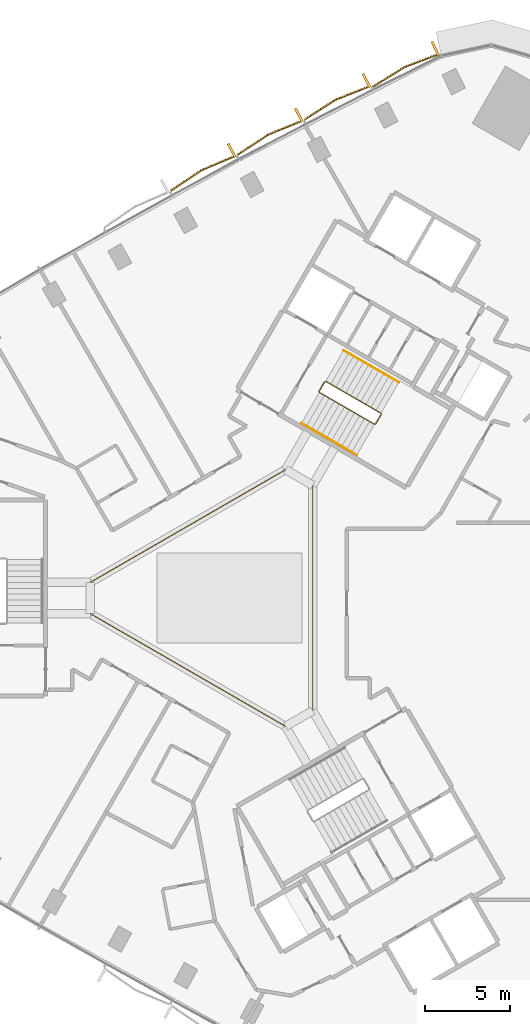
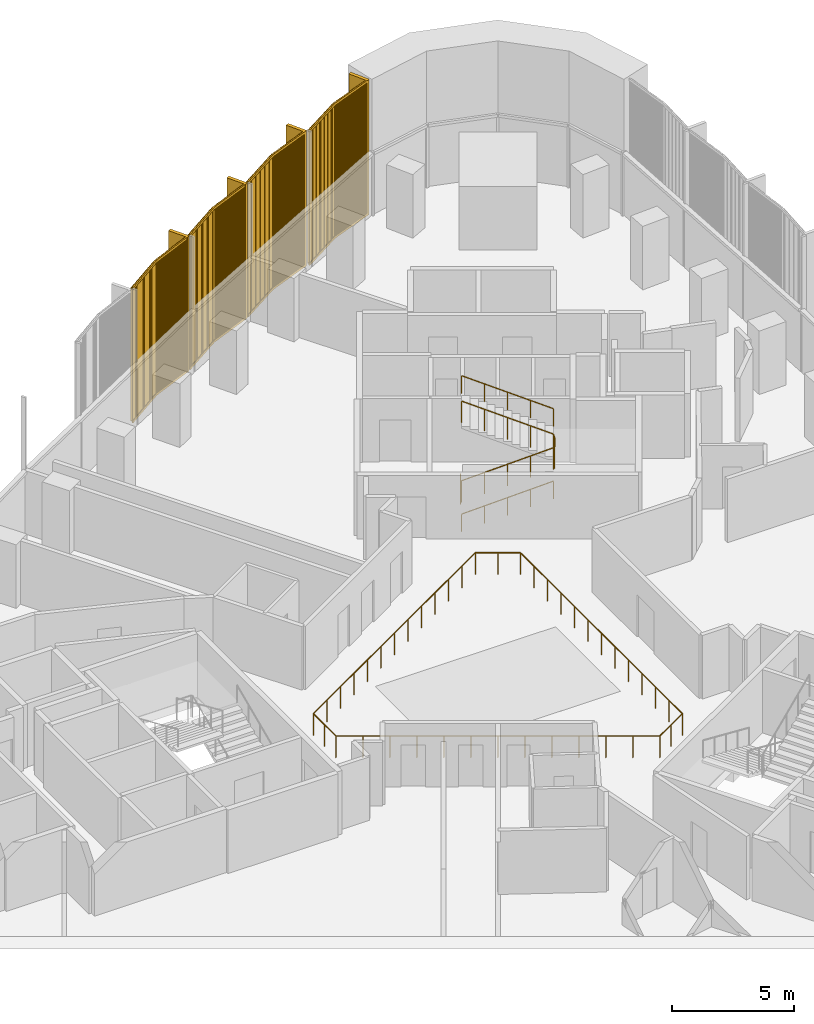
# One storey, part 14 of 15: 4 coverings, 4 railings.
"""IFC4 building model written with IfcOpenShell, lengths in metres."""

from ifc_helpers import new_model, si_unit, direction, frame, frame_2d, origin, origin_2d, place, context, subcontext, project, spatial, rectangle, circle, extrude, source, transform, mapped, material, type_object, element, save


model = new_model("IFC4")

# Units and contexts
model_context = context("Model", 3, precision=1e-05, world=origin(), true_north=direction((0.0, 1.0)))
body_context = subcontext(model_context, "Body", "Model", "MODEL_VIEW")
ifc_project = project(units=[si_unit("LENGTHUNIT", "METRE"), si_unit("AREAUNIT", "SQUARE_METRE"), si_unit("VOLUMEUNIT", "CUBIC_METRE"), si_unit("PLANEANGLEUNIT", "RADIAN"), si_unit("MASSUNIT", "GRAM", prefix="KILO")], contexts=[model_context])

# Site, building, storey
site_placement = place(None, origin())
site = spatial("IfcSite", under=ifc_project, at=site_placement, CompositionType="ELEMENT")
building_placement = place(site_placement, origin())
building = spatial("IfcBuilding", under=site, at=building_placement, Name="Tamra Quay Hotel Tower", CompositionType="ELEMENT")
storey_placement = place(building_placement, frame((0.0, 0.0, 79.39990234375)))
storey = spatial("IfcBuildingStorey", under=building, at=storey_placement, Name="L18", CompositionType="ELEMENT", Elevation=79.39990234375)

# Railings
ifc_material_1 = material(Name="Guard atrium edge 1100")
railing_type_1 = type_object("IfcRailingType", Name="Guard atrium edge 1100", PredefinedType="GUARDRAIL", material=ifc_material_1)
railing_1_placement = place(storey_placement, frame((4.89990234375, -6.639892578125, 0.0)))
element("IfcRailing", 1, at=railing_1_placement, inside=storey, type_object=railing_type_1, Name="G-A", PredefinedType="GUARDRAIL", context=body_context, shape_type="SweptSolid", body=[
    extrude(circle(Radius=0.02392578125, at=origin_2d()), frame((0.0, 0.0, 1.076171875), z_axis=(-0.866161379324, -0.499764409465, 0.0), x_axis=(0.499764409465, -0.866161379324, 0.0)), (0.0, 0.0, 1.0), 1.84716796875),
    extrude(circle(Radius=0.02392578125, at=origin_2d()), frame((-1.599853515625, -0.923095703125, 1.076171875), z_axis=(-0.866045362687, 0.499965428574, 0.0), x_axis=(-0.499965428574, -0.866045362687, 0.0)), (0.0, 0.0, 1.0), 13.27880859375),
    extrude(circle(Radius=0.02392578125, at=origin_2d()), frame((-13.099853515625, 5.7158203125, 1.076171875), z_axis=(0.0, 1.0, 0.0), x_axis=(-1.0, 0.0, 0.0)), (0.0, 0.0, 1.0), 1.84814453125),
    extrude(circle(Radius=0.02392578125, at=origin_2d()), frame((-13.099853515625, 7.56396484375, 1.076171875), z_axis=(0.866045362687, 0.499965428574, 0.0), x_axis=(-0.499965428574, 0.866045362687, 0.0)), (0.0, 0.0, 1.0), 13.27880859375),
    extrude(circle(Radius=0.02392578125, at=origin_2d()), frame((-1.599853515625, 14.202880859375, 1.076171875), z_axis=(0.866161379324, -0.499764409465, 0.0), x_axis=(0.499764409465, 0.866161379324, 0.0)), (0.0, 0.0, 1.0), 1.84716796875),
    extrude(circle(Radius=0.02392578125, at=origin_2d()), frame((0.0, 13.27978515625, 1.076171875), z_axis=(0.0, -1.0, 0.0), x_axis=(1.0, 0.0, 0.0)), (0.0, 0.0, 1.0), 13.27978515625),
    extrude(circle(Radius=0.02099609375, at=origin_2d()), origin(), (0.0, 0.0, 1.0), 1.052001953125),
    extrude(circle(Radius=0.02099609375, at=origin_2d()), frame((-0.7998046875, -0.46142578125, 0.0)), (0.0, 0.0, 1.0), 1.052001953125),
    extrude(circle(Radius=0.02099609375, at=origin_2d()), frame((-1.599853515625, -0.923095703125, 0.0)), (0.0, 0.0, 1.0), 1.052001953125),
    extrude(circle(Radius=0.02099609375, at=origin_2d()), frame((-2.55810546875, -0.369873046875, 0.0)), (0.0, 0.0, 1.0), 1.052001953125),
    extrude(circle(Radius=0.02099609375, at=origin_2d()), frame((-3.5166015625, 0.183349609375, 0.0)), (0.0, 0.0, 1.0), 1.052001953125),
    extrude(circle(Radius=0.02099609375, at=origin_2d()), frame((-4.474853515625, 0.736572265625, 0.0)), (0.0, 0.0, 1.0), 1.052001953125),
    extrude(circle(Radius=0.02099609375, at=origin_2d()), frame((-5.43310546875, 1.289794921875, 0.0)), (0.0, 0.0, 1.0), 1.052001953125),
    extrude(circle(Radius=0.02099609375, at=origin_2d()), frame((-6.3916015625, 1.843017578125, 0.0)), (0.0, 0.0, 1.0), 1.052001953125),
    extrude(circle(Radius=0.02099609375, at=origin_2d()), frame((-7.349853515625, 2.396484375, 0.0)), (0.0, 0.0, 1.0), 1.052001953125),
    extrude(circle(Radius=0.02099609375, at=origin_2d()), frame((-8.30810546875, 2.94970703125, 0.0)), (0.0, 0.0, 1.0), 1.052001953125),
    extrude(circle(Radius=0.02099609375, at=origin_2d()), frame((-9.2666015625, 3.5029296875, 0.0)), (0.0, 0.0, 1.0), 1.052001953125),
    extrude(circle(Radius=0.02099609375, at=origin_2d()), frame((-10.224853515625, 4.05615234375, 0.0)), (0.0, 0.0, 1.0), 1.052001953125),
    extrude(circle(Radius=0.02099609375, at=origin_2d()), frame((-11.18310546875, 4.609375, 0.0)), (0.0, 0.0, 1.0), 1.052001953125),
    extrude(circle(Radius=0.02099609375, at=origin_2d()), frame((-12.1416015625, 5.16259765625, 0.0)), (0.0, 0.0, 1.0), 1.052001953125),
    extrude(circle(Radius=0.02099609375, at=origin_2d()), frame((-13.099853515625, 5.7158203125, 0.0)), (0.0, 0.0, 1.0), 1.052001953125),
    extrude(circle(Radius=0.02099609375, at=origin_2d()), frame((-13.099853515625, 6.639892578125, 0.0)), (0.0, 0.0, 1.0), 1.052001953125),
    extrude(circle(Radius=0.02099609375, at=origin_2d()), frame((-13.099853515625, 7.56396484375, 0.0)), (0.0, 0.0, 1.0), 1.052001953125),
    extrude(circle(Radius=0.02099609375, at=origin_2d()), frame((-12.1416015625, 8.1171875, 0.0)), (0.0, 0.0, 1.0), 1.052001953125),
    extrude(circle(Radius=0.02099609375, at=origin_2d()), frame((-11.18310546875, 8.67041015625, 0.0)), (0.0, 0.0, 1.0), 1.052001953125),
    extrude(circle(Radius=0.02099609375, at=origin_2d()), frame((-10.224853515625, 9.2236328125, 0.0)), (0.0, 0.0, 1.0), 1.052001953125),
    extrude(circle(Radius=0.02099609375, at=origin_2d()), frame((-9.2666015625, 9.77685546875, 0.0)), (0.0, 0.0, 1.0), 1.052001953125),
    extrude(circle(Radius=0.02099609375, at=origin_2d()), frame((-8.30810546875, 10.330078125, 0.0)), (0.0, 0.0, 1.0), 1.052001953125),
    extrude(circle(Radius=0.02099609375, at=origin_2d()), frame((-7.349853515625, 10.88330078125, 0.0)), (0.0, 0.0, 1.0), 1.052001953125),
    extrude(circle(Radius=0.02099609375, at=origin_2d()), frame((-6.3916015625, 11.436767578125, 0.0)), (0.0, 0.0, 1.0), 1.052001953125),
    extrude(circle(Radius=0.02099609375, at=origin_2d()), frame((-5.43310546875, 11.989990234375, 0.0)), (0.0, 0.0, 1.0), 1.052001953125),
    extrude(circle(Radius=0.02099609375, at=origin_2d()), frame((-4.474853515625, 12.543212890625, 0.0)), (0.0, 0.0, 1.0), 1.052001953125),
    extrude(circle(Radius=0.02099609375, at=origin_2d()), frame((-3.5166015625, 13.096435546875, 0.0)), (0.0, 0.0, 1.0), 1.052001953125),
    extrude(circle(Radius=0.02099609375, at=origin_2d()), frame((-2.55810546875, 13.649658203125, 0.0)), (0.0, 0.0, 1.0), 1.052001953125),
    extrude(circle(Radius=0.02099609375, at=origin_2d()), frame((-1.599853515625, 14.202880859375, 0.0)), (0.0, 0.0, 1.0), 1.052001953125),
    extrude(circle(Radius=0.02099609375, at=origin_2d()), frame((-0.7998046875, 13.7412109375, 0.0)), (0.0, 0.0, 1.0), 1.052001953125),
    extrude(circle(Radius=0.02099609375, at=origin_2d()), frame((0.0, 13.27978515625, 0.0)), (0.0, 0.0, 1.0), 1.052001953125),
    extrude(circle(Radius=0.02099609375, at=origin_2d()), frame((0.0, 12.173095703125, 0.0)), (0.0, 0.0, 1.0), 1.052001953125),
    extrude(circle(Radius=0.02099609375, at=origin_2d()), frame((0.0, 11.06640625, 0.0)), (0.0, 0.0, 1.0), 1.052001953125),
    extrude(circle(Radius=0.02099609375, at=origin_2d()), frame((0.0, 9.9599609375, 0.0)), (0.0, 0.0, 1.0), 1.052001953125),
    extrude(circle(Radius=0.02099609375, at=origin_2d()), frame((0.0, 8.853271484375, 0.0)), (0.0, 0.0, 1.0), 1.052001953125),
    extrude(circle(Radius=0.02099609375, at=origin_2d()), frame((0.0, 7.74658203125, 0.0)), (0.0, 0.0, 1.0), 1.052001953125),
    extrude(circle(Radius=0.02099609375, at=origin_2d()), frame((0.0, 6.639892578125, 0.0)), (0.0, 0.0, 1.0), 1.052001953125),
    extrude(circle(Radius=0.02099609375, at=origin_2d()), frame((0.0, 5.533203125, 0.0)), (0.0, 0.0, 1.0), 1.052001953125),
    extrude(circle(Radius=0.02099609375, at=origin_2d()), frame((0.0, 4.426513671875, 0.0)), (0.0, 0.0, 1.0), 1.052001953125),
    extrude(circle(Radius=0.02099609375, at=origin_2d()), frame((0.0, 3.31982421875, 0.0)), (0.0, 0.0, 1.0), 1.052001953125),
    extrude(circle(Radius=0.02099609375, at=origin_2d()), frame((0.0, 2.21337890625, 0.0)), (0.0, 0.0, 1.0), 1.052001953125),
    extrude(circle(Radius=0.02099609375, at=origin_2d()), frame((0.0, 1.106689453125, 0.0)), (0.0, 0.0, 1.0), 1.052001953125),
])
ifc_material_2 = material(Name="Stair guard 1100")
railing_type_2 = type_object("IfcRailingType", Name="Stair guard 1100", PredefinedType="GUARDRAIL", material=ifc_material_2)
railing_2_placement = place(storey_placement, frame((5.595458984375, 12.751953125, 0.0)))
element("IfcRailing", 2, at=railing_2_placement, inside=storey, type_object=railing_type_2, Name="GR", PredefinedType="GUARDRAIL", context=body_context, shape_type="SweptSolid", body=[
    extrude(circle(Radius=0.02392578125, at=origin_2d()), frame((0.0, 0.0, 1.076171875), z_axis=(-0.499765215335, -0.866160914346, 0.0), x_axis=(0.866160914346, -0.499765215335, 0.0)), (0.0, 0.0, 1.0), 0.658935546875),
    extrude(circle(Radius=0.02392578125, at=origin_2d()), frame((-0.329345703125, -0.57080078125, 1.076171875), z_axis=(0.110378772244, -0.410609032747, 0.905105932399), x_axis=(0.965715946433, 0.259601060869, 0.0)), (0.0, 0.0, 1.0), 0.165771484375),
    extrude(circle(Radius=0.02392578125, at=origin_2d()), frame((-0.31103515625, -0.638916015625, 1.22607421875), z_axis=(0.793078462799, -0.457933869594, 0.401650498471), x_axis=(0.500040788363, 0.866001853331, 0.0)), (0.0, 0.0, 1.0), 4.10791015625),
    extrude(circle(Radius=0.02392578125, at=origin_2d()), frame((2.94677734375, -2.52001953125, 2.8759765625), z_axis=(0.965948051503, 0.258736085224, 0.0), x_axis=(-0.258736085224, 0.965948051503, 0.0)), (0.0, 0.0, 1.0), 0.07080078125),
    extrude(circle(Radius=0.02392578125, at=origin_2d()), frame((3.01513671875, -2.501708984375, 2.8759765625), z_axis=(0.500043078269, 0.866000531106, 0.0), x_axis=(-0.866000531106, 0.500043078269, 0.0)), (0.0, 0.0, 1.0), 0.6591796875),
    extrude(circle(Radius=0.02392578125, at=origin_2d()), frame((3.3447265625, -1.930908203125, 2.8759765625), z_axis=(-0.110378772244, 0.410609032747, 0.905105932399), x_axis=(-0.965715946433, -0.259601060869, 0.0)), (0.0, 0.0, 1.0), 0.165771484375),
    extrude(circle(Radius=0.02392578125, at=origin_2d()), frame((3.326416015625, -1.86279296875, 3.0263671875), z_axis=(-0.793100512587, 0.457912285461, 0.401631567183), x_axis=(-0.500012686397, -0.866018079166, 0.0)), (0.0, 0.0, 1.0), 4.10791015625),
    extrude(circle(Radius=0.02099609375, at=origin_2d()), origin(), (0.0, 0.0, 1.0), 1.052001953125),
    extrude(circle(Radius=0.02099609375, at=origin_2d()), frame((-0.329345703125, -0.57080078125, 0.0)), (0.0, 0.0, 1.0), 1.052001953125),
    extrude(circle(Radius=0.02099609375, at=origin_2d()), frame((-0.31103515625, -0.638916015625, 0.150146484375)), (0.0, 0.0, 1.0), 1.052001953125),
    extrude(circle(Radius=0.02099609375, at=origin_2d()), frame((0.50341796875, -1.109130859375, 0.5625)), (0.0, 0.0, 1.0), 1.052001953125),
    extrude(circle(Radius=0.02099609375, at=origin_2d()), frame((1.31787109375, -1.57958984375, 0.97509765625)), (0.0, 0.0, 1.0), 1.052001953125),
    extrude(circle(Radius=0.02099609375, at=origin_2d()), frame((2.13232421875, -2.0498046875, 1.3876953125)), (0.0, 0.0, 1.0), 1.052001953125),
    extrude(circle(Radius=0.02099609375, at=origin_2d()), frame((2.94677734375, -2.52001953125, 1.800048828125)), (0.0, 0.0, 1.0), 1.052001953125),
    extrude(circle(Radius=0.02099609375, at=origin_2d()), frame((3.01513671875, -2.501708984375, 1.800048828125)), (0.0, 0.0, 1.0), 1.052001953125),
    extrude(circle(Radius=0.02099609375, at=origin_2d()), frame((3.3447265625, -1.930908203125, 1.800048828125)), (0.0, 0.0, 1.0), 1.052001953125),
    extrude(circle(Radius=0.02099609375, at=origin_2d()), frame((3.326416015625, -1.86279296875, 1.9501953125)), (0.0, 0.0, 1.0), 1.052001953125),
    extrude(circle(Radius=0.02099609375, at=origin_2d()), frame((2.511962890625, -1.392578125, 2.36279296875)), (0.0, 0.0, 1.0), 1.052001953125),
    extrude(circle(Radius=0.02099609375, at=origin_2d()), frame((1.697265625, -0.92236328125, 2.775146484375)), (0.0, 0.0, 1.0), 1.052001953125),
    extrude(circle(Radius=0.02099609375, at=origin_2d()), frame((0.8828125, -0.451904296875, 3.1875)), (0.0, 0.0, 1.0), 1.052001953125),
    extrude(circle(Radius=0.02099609375, at=origin_2d()), frame((0.068359375, 0.018310546875, 3.60009765625)), (0.0, 0.0, 1.0), 1.052001953125),
])
ifc_material_3 = material(Name="Stair handrail 900")
railing_type_3 = type_object("IfcRailingType", Name="Stair handrail 900", PredefinedType="HANDRAIL", material=ifc_material_3)
railing_3_placement = place(storey_placement, frame((4.234375, 10.294189453125, 0.150146484375)))
element("IfcRailing", 3, at=railing_3_placement, inside=storey, type_object=railing_type_3, Name="HR", PredefinedType="HANDRAIL", context=body_context, shape_type="SweptSolid", body=[
    extrude(circle(Radius=0.02392578125, at=origin_2d()), frame((0.0, 0.0, 0.8759765625), z_axis=(0.793122095483, -0.45786531462, 0.401642496911), x_axis=(0.499964013922, 0.86604617936, 0.0)), (0.0, 0.0, 1.0), 4.10791015625),
    extrude(circle(Radius=0.02099609375, at=origin_2d()), origin(), (0.0, 0.0, 1.0), 0.851806640625),
    extrude(circle(Radius=0.02099609375, at=origin_2d()), frame((0.814453125, -0.47021484375, 0.41259765625)), (0.0, 0.0, 1.0), 0.851806640625),
    extrude(circle(Radius=0.02099609375, at=origin_2d()), frame((1.62890625, -0.9404296875, 0.824951171875)), (0.0, 0.0, 1.0), 0.851806640625),
    extrude(circle(Radius=0.02099609375, at=origin_2d()), frame((2.443603515625, -1.41064453125, 1.2373046875)), (0.0, 0.0, 1.0), 0.851806640625),
    extrude(circle(Radius=0.02099609375, at=origin_2d()), frame((3.258056640625, -1.880859375, 1.64990234375)), (0.0, 0.0, 1.0), 0.851806640625),
])
railing_4_placement = place(storey_placement, frame((9.971923828125, 12.7080078125, 1.9501953125)))
element("IfcRailing", 4, at=railing_4_placement, inside=storey, type_object=railing_type_3, Name="HR", PredefinedType="HANDRAIL", context=body_context, shape_type="SweptSolid", body=[
    extrude(circle(Radius=0.02392578125, at=origin_2d()), frame((0.0, 0.0, 0.8759765625), z_axis=(-0.793122095483, 0.45786531462, 0.401642496911), x_axis=(-0.499964013922, -0.86604617936, 0.0)), (0.0, 0.0, 1.0), 4.10791015625),
    extrude(circle(Radius=0.02099609375, at=origin_2d()), origin(), (0.0, 0.0, 1.0), 0.851806640625),
    extrude(circle(Radius=0.02099609375, at=origin_2d()), frame((-0.814453125, 0.47021484375, 0.41259765625)), (0.0, 0.0, 1.0), 0.851806640625),
    extrude(circle(Radius=0.02099609375, at=origin_2d()), frame((-1.62890625, 0.9404296875, 0.824951171875)), (0.0, 0.0, 1.0), 0.851806640625),
    extrude(circle(Radius=0.02099609375, at=origin_2d()), frame((-2.443603515625, 1.41064453125, 1.2373046875)), (0.0, 0.0, 1.0), 0.851806640625),
    extrude(circle(Radius=0.02099609375, at=origin_2d()), frame((-3.258056640625, 1.880859375, 1.64990234375)), (0.0, 0.0, 1.0), 0.851806640625),
])

# Coverings
ifc_material_4 = material(Name="Terracotta baguette extruded", Category="masonry")
covering_type = type_object("IfcCoveringType", Name="BAGUETTE SCREEN NW-V H6775", PredefinedType="USERDEFINED", material=ifc_material_4)
shared_shape = source(origin(), body_context, "Body", "SweptSolid", [
    extrude(rectangle(XDim=2.20263671875, YDim=0.06005859375, at=frame_2d((1.101318359375, 0.030029296875))), frame((-2.1982421875, -0.0576171875, -0.1201171875), z_axis=(0.0, 0.0, 1.0), x_axis=(0.995396198367, -0.09584575252, 0.0)), (0.0, 0.0, 1.0), 0.1201171875),
    extrude(rectangle(XDim=2.20263671875, YDim=0.06005859375, at=frame_2d((1.101318359375, 0.030029296875))), frame((-2.1982421875, -0.0576171875, -6.77490234375), z_axis=(0.0, 0.0, 1.0), x_axis=(0.995396198367, -0.09584575252, 0.0)), (0.0, 0.0, 1.0), 0.1201171875),
    extrude(rectangle(XDim=0.070068359375, YDim=0.10009765625, at=frame_2d((0.03515625, 0.050048828125))), frame((-2.177734375, -0.1328125, -6.715087890625)), (0.0, 0.0, 1.0), 6.655029296875),
    extrude(rectangle(XDim=0.070068359375, YDim=0.10009765625, at=frame_2d((0.03515625, 0.050048828125))), frame((-2.078125, -0.142333984375, -6.715087890625)), (0.0, 0.0, 1.0), 6.655029296875),
    extrude(rectangle(XDim=0.070068359375, YDim=0.10009765625, at=frame_2d((0.03515625, 0.050048828125))), frame((-1.978271484375, -0.152099609375, -6.715087890625)), (0.0, 0.0, 1.0), 6.655029296875),
    extrude(rectangle(XDim=0.070068359375, YDim=0.10009765625, at=frame_2d((0.03515625, 0.050048828125))), frame((-1.878662109375, -0.16162109375, -6.715087890625)), (0.0, 0.0, 1.0), 6.655029296875),
    extrude(rectangle(XDim=0.070068359375, YDim=0.10009765625, at=frame_2d((0.03515625, 0.050048828125))), frame((-1.779052734375, -0.171142578125, -6.715087890625)), (0.0, 0.0, 1.0), 6.655029296875),
    extrude(rectangle(XDim=0.070068359375, YDim=0.10009765625, at=frame_2d((0.03515625, 0.050048828125))), frame((-1.679443359375, -0.1806640625, -6.715087890625)), (0.0, 0.0, 1.0), 6.655029296875),
    extrude(rectangle(XDim=0.070068359375, YDim=0.10009765625, at=frame_2d((0.03515625, 0.050048828125))), frame((-1.579833984375, -0.1904296875, -6.715087890625)), (0.0, 0.0, 1.0), 6.655029296875),
    extrude(rectangle(XDim=0.070068359375, YDim=0.10009765625, at=frame_2d((0.03515625, 0.050048828125))), frame((-1.47998046875, -0.199951171875, -6.715087890625)), (0.0, 0.0, 1.0), 6.655029296875),
    extrude(rectangle(XDim=0.070068359375, YDim=0.10009765625, at=frame_2d((0.03515625, 0.050048828125))), frame((-1.38037109375, -0.20947265625, -6.715087890625)), (0.0, 0.0, 1.0), 6.655029296875),
    extrude(rectangle(XDim=0.070068359375, YDim=0.10009765625, at=frame_2d((0.03515625, 0.050048828125))), frame((-1.28076171875, -0.21923828125, -6.715087890625)), (0.0, 0.0, 1.0), 6.655029296875),
    extrude(rectangle(XDim=0.070068359375, YDim=0.10009765625, at=frame_2d((0.03515625, 0.050048828125))), frame((-1.18115234375, -0.228759765625, -6.715087890625)), (0.0, 0.0, 1.0), 6.655029296875),
    extrude(rectangle(XDim=0.070068359375, YDim=0.10009765625, at=frame_2d((0.03515625, 0.050048828125))), frame((-1.081298828125, -0.23828125, -6.715087890625)), (0.0, 0.0, 1.0), 6.655029296875),
    extrude(rectangle(XDim=0.070068359375, YDim=0.10009765625, at=frame_2d((0.03515625, 0.050048828125))), frame((-0.981689453125, -0.248046875, -6.715087890625)), (0.0, 0.0, 1.0), 6.655029296875),
    extrude(rectangle(XDim=0.070068359375, YDim=0.10009765625, at=frame_2d((0.03515625, 0.050048828125))), frame((-0.882080078125, -0.257568359375, -6.715087890625)), (0.0, 0.0, 1.0), 6.655029296875),
    extrude(rectangle(XDim=0.070068359375, YDim=0.10009765625, at=frame_2d((0.03515625, 0.050048828125))), frame((-0.782470703125, -0.26708984375, -6.715087890625)), (0.0, 0.0, 1.0), 6.655029296875),
    extrude(rectangle(XDim=0.070068359375, YDim=0.10009765625, at=frame_2d((0.03515625, 0.050048828125))), frame((-0.682861328125, -0.27685546875, -6.715087890625)), (0.0, 0.0, 1.0), 6.655029296875),
    extrude(rectangle(XDim=0.070068359375, YDim=0.10009765625, at=frame_2d((0.03515625, 0.050048828125))), frame((-0.583251953125, -0.286376953125, -6.715087890625)), (0.0, 0.0, 1.0), 6.655029296875),
    extrude(rectangle(XDim=0.070068359375, YDim=0.10009765625, at=frame_2d((0.03515625, 0.050048828125))), frame((-0.4833984375, -0.2958984375, -6.715087890625)), (0.0, 0.0, 1.0), 6.655029296875),
    extrude(rectangle(XDim=0.070068359375, YDim=0.10009765625, at=frame_2d((0.03515625, 0.050048828125))), frame((-0.3837890625, -0.305419921875, -6.715087890625)), (0.0, 0.0, 1.0), 6.655029296875),
    extrude(rectangle(XDim=0.070068359375, YDim=0.10009765625, at=frame_2d((0.03515625, 0.050048828125))), frame((-0.2841796875, -0.315185546875, -6.715087890625)), (0.0, 0.0, 1.0), 6.655029296875),
    extrude(rectangle(XDim=0.070068359375, YDim=0.10009765625, at=frame_2d((0.03515625, 0.050048828125))), frame((-0.1845703125, -0.32470703125, -6.715087890625)), (0.0, 0.0, 1.0), 6.655029296875),
    extrude(rectangle(XDim=0.070068359375, YDim=0.10009765625, at=frame_2d((0.03515625, 0.050048828125))), frame((-0.084716796875, -0.334228515625, -6.715087890625)), (0.0, 0.0, 1.0), 6.655029296875),
    extrude(rectangle(XDim=2.20263671875, YDim=0.06005859375, at=frame_2d((1.101318359375, 0.030029296875))), frame((0.005859375, -0.268798828125, -0.1201171875), z_axis=(0.0, 0.0, 1.0), x_axis=(0.995396198367, 0.09584575252, 0.0)), (0.0, 0.0, 1.0), 0.1201171875),
    extrude(rectangle(XDim=2.20263671875, YDim=0.06005859375, at=frame_2d((1.101318359375, 0.030029296875))), frame((0.005859375, -0.268798828125, -6.77490234375), z_axis=(0.0, 0.0, 1.0), x_axis=(0.995396198367, 0.09584575252, 0.0)), (0.0, 0.0, 1.0), 0.1201171875),
    extrude(rectangle(XDim=0.070068359375, YDim=0.10009765625, at=frame_2d((0.03515625, 0.050048828125))), frame((0.014892578125, -0.334228515625, -6.715087890625)), (0.0, 0.0, 1.0), 6.655029296875),
    extrude(rectangle(XDim=0.070068359375, YDim=0.10009765625, at=frame_2d((0.03515625, 0.050048828125))), frame((0.114501953125, -0.32470703125, -6.715087890625)), (0.0, 0.0, 1.0), 6.655029296875),
    extrude(rectangle(XDim=0.070068359375, YDim=0.10009765625, at=frame_2d((0.03515625, 0.050048828125))), frame((0.214111328125, -0.315185546875, -6.715087890625)), (0.0, 0.0, 1.0), 6.655029296875),
    extrude(rectangle(XDim=0.070068359375, YDim=0.10009765625, at=frame_2d((0.03515625, 0.050048828125))), frame((0.313720703125, -0.305419921875, -6.715087890625)), (0.0, 0.0, 1.0), 6.655029296875),
    extrude(rectangle(XDim=0.070068359375, YDim=0.10009765625, at=frame_2d((0.03515625, 0.050048828125))), frame((0.41357421875, -0.2958984375, -6.715087890625)), (0.0, 0.0, 1.0), 6.655029296875),
    extrude(rectangle(XDim=0.070068359375, YDim=0.10009765625, at=frame_2d((0.03515625, 0.050048828125))), frame((0.51318359375, -0.286376953125, -6.715087890625)), (0.0, 0.0, 1.0), 6.655029296875),
    extrude(rectangle(XDim=0.070068359375, YDim=0.10009765625, at=frame_2d((0.03515625, 0.050048828125))), frame((0.61279296875, -0.27685546875, -6.715087890625)), (0.0, 0.0, 1.0), 6.655029296875),
    extrude(rectangle(XDim=0.070068359375, YDim=0.10009765625, at=frame_2d((0.03515625, 0.050048828125))), frame((0.71240234375, -0.26708984375, -6.715087890625)), (0.0, 0.0, 1.0), 6.655029296875),
    extrude(rectangle(XDim=0.070068359375, YDim=0.10009765625, at=frame_2d((0.03515625, 0.050048828125))), frame((0.81201171875, -0.257568359375, -6.715087890625)), (0.0, 0.0, 1.0), 6.655029296875),
    extrude(rectangle(XDim=0.070068359375, YDim=0.10009765625, at=frame_2d((0.03515625, 0.050048828125))), frame((0.911865234375, -0.248046875, -6.715087890625)), (0.0, 0.0, 1.0), 6.655029296875),
    extrude(rectangle(XDim=0.070068359375, YDim=0.10009765625, at=frame_2d((0.03515625, 0.050048828125))), frame((1.011474609375, -0.23828125, -6.715087890625)), (0.0, 0.0, 1.0), 6.655029296875),
    extrude(rectangle(XDim=0.070068359375, YDim=0.10009765625, at=frame_2d((0.03515625, 0.050048828125))), frame((1.111083984375, -0.228759765625, -6.715087890625)), (0.0, 0.0, 1.0), 6.655029296875),
    extrude(rectangle(XDim=0.070068359375, YDim=0.10009765625, at=frame_2d((0.03515625, 0.050048828125))), frame((1.210693359375, -0.21923828125, -6.715087890625)), (0.0, 0.0, 1.0), 6.655029296875),
    extrude(rectangle(XDim=0.070068359375, YDim=0.10009765625, at=frame_2d((0.03515625, 0.050048828125))), frame((1.310302734375, -0.20947265625, -6.715087890625)), (0.0, 0.0, 1.0), 6.655029296875),
    extrude(rectangle(XDim=0.070068359375, YDim=0.10009765625, at=frame_2d((0.03515625, 0.050048828125))), frame((1.41015625, -0.199951171875, -6.715087890625)), (0.0, 0.0, 1.0), 6.655029296875),
    extrude(rectangle(XDim=0.070068359375, YDim=0.10009765625, at=frame_2d((0.03515625, 0.050048828125))), frame((1.509765625, -0.1904296875, -6.715087890625)), (0.0, 0.0, 1.0), 6.655029296875),
    extrude(rectangle(XDim=0.070068359375, YDim=0.10009765625, at=frame_2d((0.03515625, 0.050048828125))), frame((1.609375, -0.1806640625, -6.715087890625)), (0.0, 0.0, 1.0), 6.655029296875),
    extrude(rectangle(XDim=0.070068359375, YDim=0.10009765625, at=frame_2d((0.03515625, 0.050048828125))), frame((1.708984375, -0.171142578125, -6.715087890625)), (0.0, 0.0, 1.0), 6.655029296875),
    extrude(rectangle(XDim=0.070068359375, YDim=0.10009765625, at=frame_2d((0.03515625, 0.050048828125))), frame((1.80859375, -0.16162109375, -6.715087890625)), (0.0, 0.0, 1.0), 6.655029296875),
    extrude(rectangle(XDim=0.070068359375, YDim=0.10009765625, at=frame_2d((0.03515625, 0.050048828125))), frame((1.908447265625, -0.152099609375, -6.715087890625)), (0.0, 0.0, 1.0), 6.655029296875),
    extrude(rectangle(XDim=0.070068359375, YDim=0.10009765625, at=frame_2d((0.03515625, 0.050048828125))), frame((2.008056640625, -0.142333984375, -6.715087890625)), (0.0, 0.0, 1.0), 6.655029296875),
    extrude(rectangle(XDim=0.070068359375, YDim=0.10009765625, at=frame_2d((0.03515625, 0.050048828125))), frame((2.107666015625, -0.1328125, -6.715087890625)), (0.0, 0.0, 1.0), 6.655029296875),
    extrude(rectangle(XDim=0.14990234375, YDim=0.902099609375, at=frame_2d((0.074951171875, 0.451171875))), frame((-2.1923828125, -0.89990234375, -6.77490234375)), (0.0, 0.0, 1.0), 6.77490234375),
])
for number, where, z_axis, x_axis, name in (
    (5, (10.421875, 31.03271484375, 6.775146484375), (0.0, 0.0, 1.0), (-0.895658107856, -0.444743244842, 0.0), "Baguette screen L18.NW.f00"),
    (6, (6.38427734375, 29.1220703125, 6.775146484375), (0.0, 0.0, 1.0), (-0.89054445887, -0.454896215391, 0.0), "Baguette screen L18.NW.f01"),
    (7, (2.41845703125, 27.06787109375, 6.775146484375), (0.0, 0.0, 1.0), (-0.885306132294, -0.465008658116, 0.0), "Baguette screen L18.NW.f02"),
    (8, (-1.52392578125, 24.96826171875, 6.775146484375), (0.0, 0.0, 1.0), (-0.879945594555, -0.475074468502, 0.0), "Baguette screen L18.NW.f03"),
):
    element("IfcCovering", number, at=place(storey_placement, frame(where, z_axis=z_axis, x_axis=x_axis)), inside=storey, type_object=covering_type, Name=name, ObjectType="BAGUETTE SCREEN", PredefinedType="USERDEFINED", context=body_context, shape_type="MappedRepresentation", body=[
        mapped(shared_shape, transform((0.0, 0.0, 0.0), scale=1.0)),
    ])

save(model, "model.ifc")
